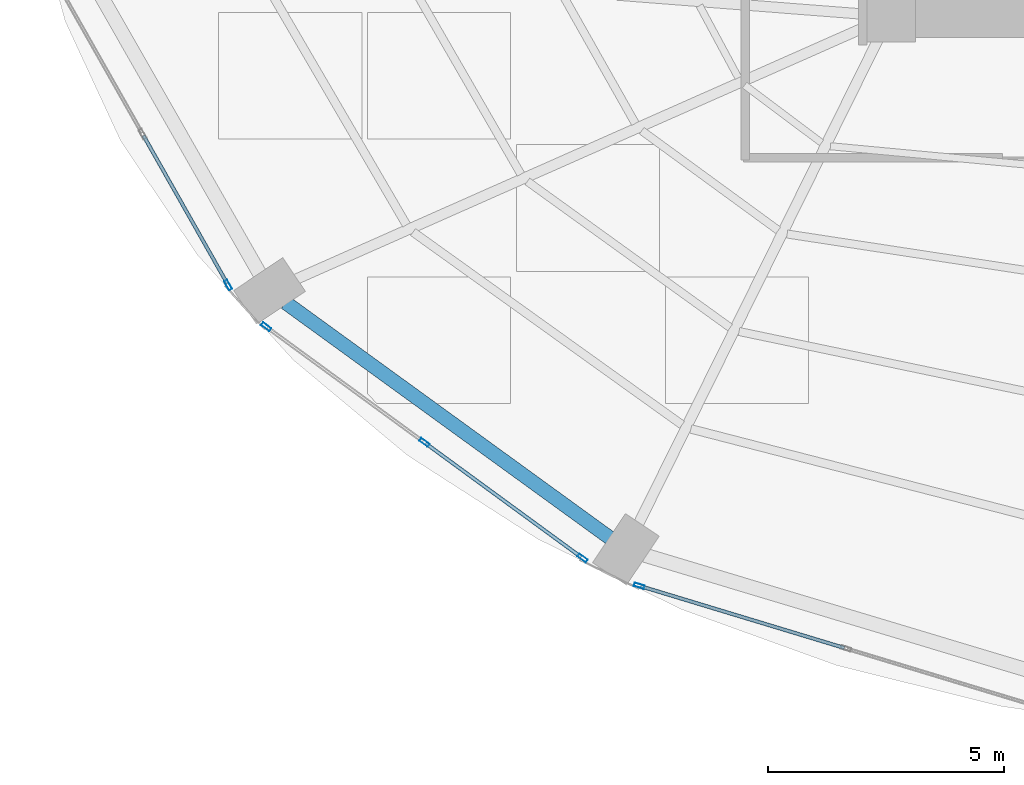
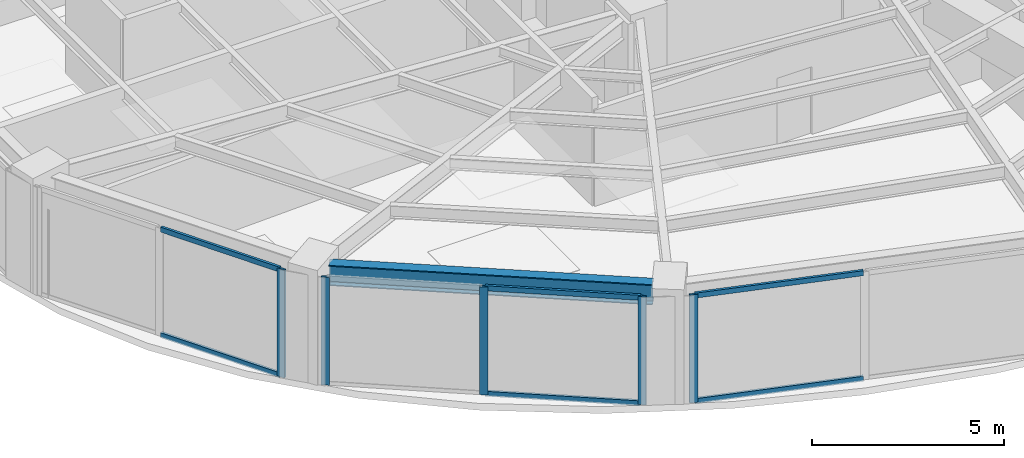
# One storey, part 2 of 24: 11 members, 1 beam, 3 elements without a shape of their own.
"""IFC4 building model written with IfcOpenShell, lengths in metres."""

from ifc_helpers import new_model, si_unit, direction, frame, origin, origin_2d, place, context, subcontext, project, spatial, hollow_rectangle, i_section, extrude, material, layer, layer_set, material_profile, profile_set, type_object, element, aggregate, save


model = new_model("IFC4")

# Units and contexts
model_context = context("Model", 3, precision=1e-05, world=origin(), true_north=direction((0.0, 1.0)))
body_context = subcontext(model_context, "Body", "Model", "MODEL_VIEW")
ifc_project = project(units=[si_unit("LENGTHUNIT", "METRE"), si_unit("AREAUNIT", "SQUARE_METRE"), si_unit("VOLUMEUNIT", "CUBIC_METRE"), si_unit("PLANEANGLEUNIT", "RADIAN"), si_unit("MASSUNIT", "GRAM", prefix="KILO")], contexts=[model_context])

# Site, building, storey
site_placement = place(None, origin())
site = spatial("IfcSite", under=ifc_project, at=site_placement, CompositionType="ELEMENT")
building_placement = place(site_placement, origin())
building = spatial("IfcBuilding", under=site, at=building_placement, Name="Lazwardi Medical Tower", CompositionType="ELEMENT")
storey_placement = place(building_placement, frame((0.0, 0.0, 36.14404296875)))
storey = spatial("IfcBuildingStorey", under=building, at=storey_placement, Name="L08", CompositionType="ELEMENT", Elevation=36.14404296875)

# Beam
ifc_material_1 = material(Name="Steel S355", Category="steel")
ifc_material_profile_1 = material_profile(ifc_material_1, i_section(OverallWidth=0.300048828125, OverallDepth=0.64990234375, WebThickness=0.01611328125, FlangeThickness=0.031005859375, at=origin_2d()), Name="HEB 650")
ifc_profile_set_1 = profile_set([ifc_material_profile_1], Name="Steel S355")
beam_type = type_object("IfcBeamType", Name="BM-RB-Z1", PredefinedType="BEAM", material=ifc_profile_set_1)
beam_placement = place(storey_placement, frame((13.6201171875, 14.339111328125, 3.10302734375), z_axis=(0.809407079515, -0.587247971159, 0.0), x_axis=(0.587247971159, 0.809407079515, 0.0)))
element("IfcBeam", 1, at=beam_placement, inside=storey, type_object=beam_type, Name="Ring beam RB-02 B14 L08", PredefinedType="BEAM", context=body_context, shape_type="SweptSolid", body=[
    extrude(i_section(OverallWidth=0.300048828125, OverallDepth=0.64990234375, WebThickness=0.01611328125, FlangeThickness=0.031005859375, at=origin_2d()), origin(), (0.0, 0.0, 1.0), 8.473876953125),
])

# Curtain wall, member
ifc_material_2 = material(Name="Anodised bronze aluminium and solar control glazing", Category="aluminium")
ifc_layer = layer(ifc_material_2, 0.199951171875)
ifc_layer_set = layer_set([ifc_layer], Name="Anodised bronze aluminium and solar control glazing")
curtain_wall_type = type_object("IfcCurtainWallType", Name="CW-SYS-02", PredefinedType="NOTDEFINED", material=ifc_layer_set)
curtain_wall_1_placement = place(storey_placement, origin())
curtain_wall_1 = element("IfcCurtainWall", 2, at=curtain_wall_1_placement, inside=storey, type_object=curtain_wall_type, Name="L08 Unitised bronze curtain wall CW-02", PredefinedType="NOTDEFINED")
ifc_material_3 = material(Name="Anodised bronze aluminium", Category="aluminium")
ifc_material_profile_2 = material_profile(ifc_material_3, hollow_rectangle(XDim=0.074951171875, YDim=0.219970703125, WallThickness=0.00390625, at=origin_2d()), Name="ALU-MULLION 220x75x4")
ifc_profile_set_2 = profile_set([ifc_material_profile_2], Name="Anodised bronze aluminium")
member_type_1 = type_object("IfcMemberType", Name="CW-MUL-01", PredefinedType="MULLION", material=ifc_profile_set_2)
member_1_placement = place(storey_placement, frame((12.4033203125, 14.71142578125, 0.0), z_axis=(0.0, 0.0, 1.0), x_axis=(0.870111838823, 0.492854327303, 0.0)))
member_1 = element("IfcMember", 3, at=member_1_placement, type_object=member_type_1, Name="CW-02 mullion 3", PredefinedType="MULLION", context=body_context, shape_type="SweptSolid", body=[
    extrude(hollow_rectangle(XDim=0.074951171875, YDim=0.219970703125, WallThickness=0.00390625, at=origin_2d()), origin(), (0.0, 0.0, 1.0), 3.427978515625),
])

# Curtain wall, members
curtain_wall_2_placement = place(storey_placement, origin())
curtain_wall_2 = element("IfcCurtainWall", 4, at=curtain_wall_2_placement, inside=storey, type_object=curtain_wall_type, Name="L08 Unitised bronze curtain wall CW-02", PredefinedType="NOTDEFINED")
member_2_placement = place(storey_placement, frame((13.209716796875, 13.827392578125, 0.0), z_axis=(0.0, 0.0, 1.0), x_axis=(0.590289307341, 0.807191757663, 0.0)))
member_2 = element("IfcMember", 5, at=member_2_placement, type_object=member_type_1, Name="CW-02 mullion 1", PredefinedType="MULLION", context=body_context, shape_type="SweptSolid", body=[
    extrude(hollow_rectangle(XDim=0.074951171875, YDim=0.219970703125, WallThickness=0.00390625, at=origin_2d()), origin(), (0.0, 0.0, 1.0), 3.427978515625),
])
member_3_placement = place(storey_placement, frame((16.5556640625, 11.380615234375, 0.0), z_axis=(0.0, 0.0, 1.0), x_axis=(0.590289307341, 0.807191757663, 0.0)))
member_3 = element("IfcMember", 6, at=member_3_placement, type_object=member_type_1, Name="CW-02 mullion 2", PredefinedType="MULLION", context=body_context, shape_type="SweptSolid", body=[
    extrude(hollow_rectangle(XDim=0.074951171875, YDim=0.219970703125, WallThickness=0.00390625, at=origin_2d()), origin(), (0.0, 0.0, 1.0), 3.427978515625),
])
member_4_placement = place(storey_placement, frame((19.9013671875, 8.933837890625, 0.0), z_axis=(0.0, 0.0, 1.0), x_axis=(0.590289307341, 0.807191757663, 0.0)))
member_4 = element("IfcMember", 7, at=member_4_placement, type_object=member_type_1, Name="CW-02 mullion 3", PredefinedType="MULLION", context=body_context, shape_type="SweptSolid", body=[
    extrude(hollow_rectangle(XDim=0.074951171875, YDim=0.219970703125, WallThickness=0.00390625, at=origin_2d()), origin(), (0.0, 0.0, 1.0), 3.427978515625),
])

# Curtain wall, member
curtain_wall_3_placement = place(storey_placement, origin())
curtain_wall_3 = element("IfcCurtainWall", 8, at=curtain_wall_3_placement, inside=storey, type_object=curtain_wall_type, Name="L08 Unitised bronze curtain wall CW-02", PredefinedType="NOTDEFINED")
member_5_placement = place(storey_placement, frame((21.1015625, 8.346923828125, 0.0), z_axis=(0.0, 0.0, 1.0), x_axis=(0.2898956909, 0.957058247129, 0.0)))
member_5 = element("IfcMember", 9, at=member_5_placement, type_object=member_type_1, Name="CW-02 mullion 1", PredefinedType="MULLION", context=body_context, shape_type="SweptSolid", body=[
    extrude(hollow_rectangle(XDim=0.074951171875, YDim=0.219970703125, WallThickness=0.00390625, at=origin_2d()), origin(), (0.0, 0.0, 1.0), 3.427978515625),
])

# Member
ifc_material_profile_3 = material_profile(ifc_material_3, hollow_rectangle(XDim=0.074951171875, YDim=0.159912109375, WallThickness=0.00390625, at=origin_2d()), Name="ALU-TRANSOM 160x75x4")
ifc_profile_set_3 = profile_set([ifc_material_profile_3], Name="Anodised bronze aluminium")
member_type_2 = type_object("IfcMemberType", Name="CW-TRN-01", PredefinedType="USERDEFINED", material=ifc_profile_set_3)
member_6_placement = place(storey_placement, frame((10.613037109375, 17.871826171875, 0.037353515625), z_axis=(0.492880614687, -0.870096948429, 0.0), x_axis=(0.870096948429, 0.492880614687, 0.0)))
member_6 = element("IfcMember", 10, at=member_6_placement, type_object=member_type_2, Name="CW-02 transom 2.1", ObjectType="TRANSOM", PredefinedType="USERDEFINED", context=body_context, shape_type="SweptSolid", body=[
    extrude(hollow_rectangle(XDim=0.074951171875, YDim=0.159912109375, WallThickness=0.00390625, at=origin_2d()), origin(), (0.0, 0.0, 1.0), 3.5947265625),
])

member_7_placement = place(storey_placement, frame((10.613037109375, 17.871826171875, 3.390380859375), z_axis=(0.492880614687, -0.870096948429, 0.0), x_axis=(0.870096948429, 0.492880614687, 0.0)))
member_7 = element("IfcMember", 11, at=member_7_placement, type_object=member_type_2, Name="CW-02 transom 2.2", ObjectType="TRANSOM", PredefinedType="USERDEFINED", context=body_context, shape_type="SweptSolid", body=[
    extrude(hollow_rectangle(XDim=0.074951171875, YDim=0.159912109375, WallThickness=0.00390625, at=origin_2d()), origin(), (0.0, 0.0, 1.0), 3.5947265625),
])

aggregate(curtain_wall_1, [member_1, member_6, member_7])

member_8_placement = place(storey_placement, frame((16.5859375, 11.358642578125, 0.037353515625), z_axis=(0.807169053975, -0.590320352271, 0.0), x_axis=(0.590320352271, 0.807169053975, 0.0)))
member_8 = element("IfcMember", 12, at=member_8_placement, type_object=member_type_2, Name="CW-02 transom 2.1", ObjectType="TRANSOM", PredefinedType="USERDEFINED", context=body_context, shape_type="SweptSolid", body=[
    extrude(hollow_rectangle(XDim=0.074951171875, YDim=0.159912109375, WallThickness=0.00390625, at=origin_2d()), origin(), (0.0, 0.0, 1.0), 4.070068359375),
])

member_9_placement = place(storey_placement, frame((16.5859375, 11.358642578125, 3.390380859375), z_axis=(0.807169053975, -0.590320352271, 0.0), x_axis=(0.590320352271, 0.807169053975, 0.0)))
member_9 = element("IfcMember", 13, at=member_9_placement, type_object=member_type_2, Name="CW-02 transom 2.2", ObjectType="TRANSOM", PredefinedType="USERDEFINED", context=body_context, shape_type="SweptSolid", body=[
    extrude(hollow_rectangle(XDim=0.074951171875, YDim=0.159912109375, WallThickness=0.00390625, at=origin_2d()), origin(), (0.0, 0.0, 1.0), 4.070068359375),
])

aggregate(curtain_wall_2, [member_2, member_3, member_4, member_8, member_9])

member_10_placement = place(storey_placement, frame((21.137451171875, 8.3359375, 0.037353515625), z_axis=(0.957062297904, -0.289882317383, 0.0), x_axis=(0.289882317383, 0.957062297904, 0.0)))
member_10 = element("IfcMember", 14, at=member_10_placement, type_object=member_type_2, Name="CW-02 transom 1.1", ObjectType="TRANSOM", PredefinedType="USERDEFINED", context=body_context, shape_type="SweptSolid", body=[
    extrude(hollow_rectangle(XDim=0.074951171875, YDim=0.159912109375, WallThickness=0.00390625, at=origin_2d()), origin(), (0.0, 0.0, 1.0), 4.49658203125),
])

member_11_placement = place(storey_placement, frame((21.137451171875, 8.3359375, 3.390380859375), z_axis=(0.957062297904, -0.289882317383, 0.0), x_axis=(0.289882317383, 0.957062297904, 0.0)))
member_11 = element("IfcMember", 15, at=member_11_placement, type_object=member_type_2, Name="CW-02 transom 1.2", ObjectType="TRANSOM", PredefinedType="USERDEFINED", context=body_context, shape_type="SweptSolid", body=[
    extrude(hollow_rectangle(XDim=0.074951171875, YDim=0.159912109375, WallThickness=0.00390625, at=origin_2d()), origin(), (0.0, 0.0, 1.0), 4.49658203125),
])

aggregate(curtain_wall_3, [member_5, member_10, member_11])

save(model, "model.ifc")
